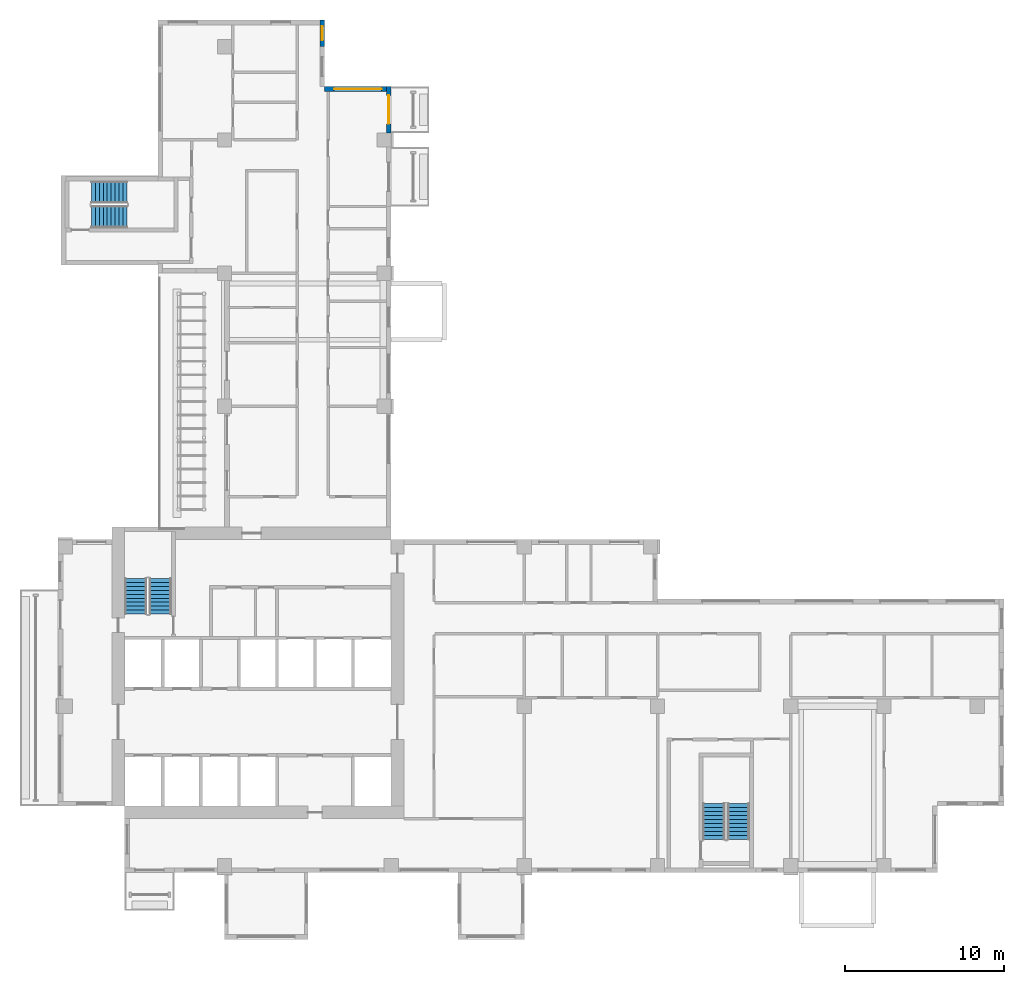
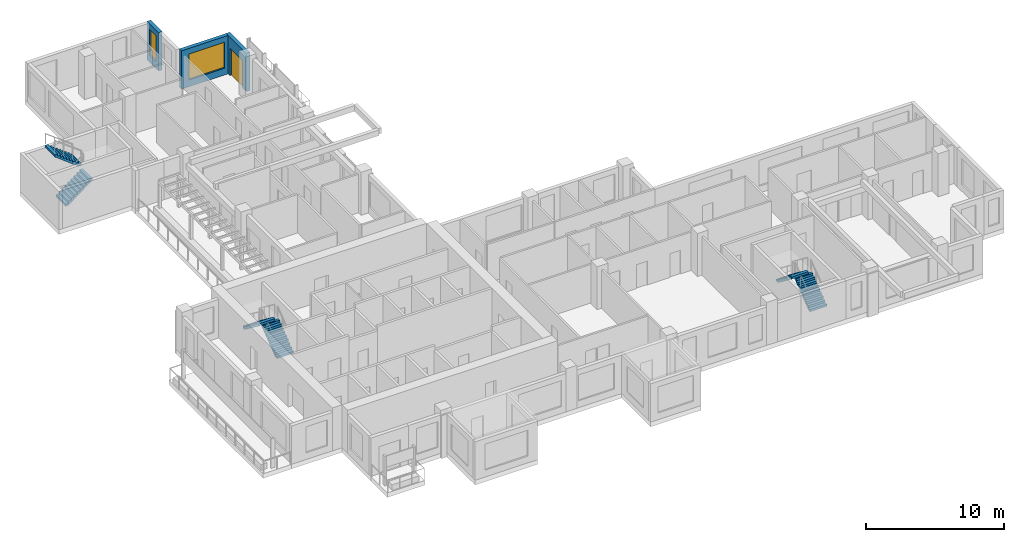
# One storey, part 10 of 14: 6 stair flights, 3 walls, 2 windows, 1 door, 3 openings, 3 elements without a shape of their own.
"""IFC4 building model written with IfcOpenShell, lengths in metres."""

from ifc_helpers import new_model, si_unit, direction, frame, frame_2d, origin, place, context, subcontext, project, spatial, polyline, rectangle, outline, extrude, source, transform, mapped, material, layer, layer_set, type_object, element, fill, aggregate, save


model = new_model("IFC4")

# Units and contexts
model_context = context("Model", 3, precision=1e-05, world=origin(), true_north=direction((0.0, 1.0)))
body_context = subcontext(model_context, "Body", "Model", "MODEL_VIEW")
ifc_project = project(units=[si_unit("LENGTHUNIT", "METRE"), si_unit("AREAUNIT", "SQUARE_METRE"), si_unit("VOLUMEUNIT", "CUBIC_METRE"), si_unit("PLANEANGLEUNIT", "RADIAN"), si_unit("MASSUNIT", "GRAM", prefix="KILO")], contexts=[model_context])

# Site, building, storey
site_placement = place(None, origin())
site = spatial("IfcSite", under=ifc_project, at=site_placement, CompositionType="ELEMENT")
building_placement = place(site_placement, origin())
building = spatial("IfcBuilding", under=site, at=building_placement, Name="Aurelian Terraces", CompositionType="ELEMENT")
storey_placement = place(building_placement, frame((0.0, 0.0, 185.4)))
storey = spatial("IfcBuildingStorey", under=building, at=storey_placement, Name="L40", CompositionType="ELEMENT", Elevation=185.4)

# Wall, opening, door
ifc_material_1 = material(Name="Terracotta rainscreen cladding", Category="masonry")
ifc_layer = layer(ifc_material_1, 0.3)
ifc_layer_set = layer_set([ifc_layer], Name="EW-300")
wall_type = type_object("IfcWallType", Name="EW-300", PredefinedType="STANDARD", material=ifc_layer_set)
shared_shape_1 = source(origin(), body_context, "Body", "SweptSolid", [
    extrude(rectangle(XDim=2.91, YDim=0.3, at=frame_2d((1.455, 0.0))), origin(), (0.0, 0.0, 1.0), 3.4),
])
wall_1_placement = place(storey_placement, frame((20.85, 46.65, 0.0), z_axis=(0.0, 0.0, 1.0), x_axis=(0.0, 1.0, 0.0)))
wall_1 = element("IfcWall", 1, at=wall_1_placement, inside=storey, type_object=wall_type, Name="External wall L40 F08.23", PredefinedType="STANDARD", context=body_context, shape_type="MappedRepresentation", body=[
    mapped(shared_shape_1, transform((0.0, 0.0, 0.0), scale=1.0)),
])
shared_shape_2 = source(origin(), body_context, "Body", "SweptSolid", [
    extrude(rectangle(XDim=1.8, YDim=2.4, at=frame_2d((0.9, 1.2))), frame((0.0, 0.16, 0.0), z_axis=(0.0, -1.0, 0.0), x_axis=(1.0, 0.0, 0.0)), (0.0, 0.0, 1.0), 0.32),
])
opening_1_placement = place(wall_1_placement, frame((0.555, 0.0, 0.0)))
opening_1 = element("IfcOpeningElement", 2, at=opening_1_placement, cuts=wall_1, Name="Opening 84003", PredefinedType="OPENING", context=body_context, shape_type="MappedRepresentation", body=[
    mapped(shared_shape_2, transform((0.0, 0.0, 0.0), scale=1.0)),
])
ifc_material_2 = material(Name="Clear glazing", Category="glass")
door_type = type_object("IfcDoorType", Name="BD-1800x2400", OperationType="SLIDING_TO_LEFT", PredefinedType="DOOR", material=ifc_material_2)
shared_shape_3 = source(origin(), body_context, "Body", "SweptSolid", [
    extrude(rectangle(XDim=1.8, YDim=2.4, at=frame_2d((0.9, 1.2))), frame((0.0, 0.025, 0.0), z_axis=(0.0, -1.0, 0.0), x_axis=(1.0, 0.0, 0.0)), (0.0, 0.0, 1.0), 0.05),
])
door_placement = place(opening_1_placement, origin())
door = element("IfcDoor", 3, at=door_placement, inside=storey, type_object=door_type, Name="Balcony door L40 F08.23", OperationType="SLIDING_TO_LEFT", OverallHeight=2.4, OverallWidth=1.8, PredefinedType="DOOR", context=body_context, shape_type="MappedRepresentation", body=[
    mapped(shared_shape_3, transform((0.0, 0.0, 0.0), scale=1.0)),
])
fill(opening_1, door)

# Wall, opening, window
shared_shape_4 = source(origin(), body_context, "Body", "SweptSolid", [
    extrude(rectangle(XDim=4.2, YDim=0.3, at=frame_2d((2.1, 0.0))), origin(), (0.0, 0.0, 1.0), 3.4),
])
wall_2_placement = place(storey_placement, frame((21.0, 49.41, 0.0), z_axis=(0.0, 0.0, 1.0), x_axis=(-1.0, 0.0, 0.0)))
wall_2 = element("IfcWall", 4, at=wall_2_placement, inside=storey, type_object=wall_type, Name="External wall L40 F09.24", PredefinedType="STANDARD", context=body_context, shape_type="MappedRepresentation", body=[
    mapped(shared_shape_4, transform((0.0, 0.0, 0.0), scale=1.0)),
])
shared_shape_5 = source(origin(), body_context, "Body", "SweptSolid", [
    extrude(rectangle(XDim=3.0, YDim=2.3, at=frame_2d((1.5, 1.15))), frame((0.0, 0.16, 0.0), z_axis=(0.0, -1.0, 0.0), x_axis=(1.0, 0.0, 0.0)), (0.0, 0.0, 1.0), 0.32),
])
opening_2_placement = place(wall_2_placement, frame((0.6, 0.0, 0.6)))
opening_2 = element("IfcOpeningElement", 5, at=opening_2_placement, cuts=wall_2, Name="Opening W3023", PredefinedType="OPENING", context=body_context, shape_type="MappedRepresentation", body=[
    mapped(shared_shape_5, transform((0.0, 0.0, 0.0), scale=1.0)),
])
window_type_1 = type_object("IfcWindowType", Name="W-3000x2300", PartitioningType="SINGLE_PANEL", PredefinedType="WINDOW", material=ifc_material_2)
shared_shape_6 = source(origin(), body_context, "Body", "SweptSolid", [
    extrude(rectangle(XDim=3.0, YDim=2.3, at=frame_2d((1.5, 1.15))), frame((0.0, 0.03, 0.0), z_axis=(0.0, -1.0, 0.0), x_axis=(1.0, 0.0, 0.0)), (0.0, 0.0, 1.0), 0.06),
])
window_1_placement = place(opening_2_placement, origin())
window_1 = element("IfcWindow", 6, at=window_1_placement, inside=storey, type_object=window_type_1, Name="Window L40 L40-F09-24-0", OverallHeight=2.3, OverallWidth=3.0, PartitioningType="SINGLE_PANEL", PredefinedType="WINDOW", context=body_context, shape_type="MappedRepresentation", body=[
    mapped(shared_shape_6, transform((0.0, 0.0, 0.0), scale=1.0)),
])
fill(opening_2, window_1)

shared_shape_7 = source(origin(), body_context, "Body", "SweptSolid", [
    extrude(rectangle(XDim=1.68, YDim=0.3, at=frame_2d((0.84, 0.0))), origin(), (0.0, 0.0, 1.0), 3.4),
])
wall_3_placement = place(storey_placement, frame((16.65, 52.08, 0.0), z_axis=(0.0, 0.0, 1.0), x_axis=(0.0, 1.0, 0.0)))
wall_3 = element("IfcWall", 7, at=wall_3_placement, inside=storey, type_object=wall_type, Name="External wall L40 F10.26", PredefinedType="STANDARD", context=body_context, shape_type="MappedRepresentation", body=[
    mapped(shared_shape_7, transform((0.0, 0.0, 0.0), scale=1.0)),
])
shared_shape_8 = source(origin(), body_context, "Body", "SweptSolid", [
    extrude(rectangle(XDim=0.9, YDim=2.3, at=frame_2d((0.45, 1.15))), frame((0.0, 0.16, 0.0), z_axis=(0.0, -1.0, 0.0), x_axis=(1.0, 0.0, 0.0)), (0.0, 0.0, 1.0), 0.32),
])
opening_3_placement = place(wall_3_placement, frame((0.39, 0.0, 0.6)))
opening_3 = element("IfcOpeningElement", 8, at=opening_3_placement, cuts=wall_3, Name="Opening W0923", PredefinedType="OPENING", context=body_context, shape_type="MappedRepresentation", body=[
    mapped(shared_shape_8, transform((0.0, 0.0, 0.0), scale=1.0)),
])
window_type_2 = type_object("IfcWindowType", Name="W-900x2300", PartitioningType="SINGLE_PANEL", PredefinedType="WINDOW", material=ifc_material_2)
shared_shape_9 = source(origin(), body_context, "Body", "SweptSolid", [
    extrude(rectangle(XDim=0.9, YDim=2.3, at=frame_2d((0.45, 1.15))), frame((0.0, 0.03, 0.0), z_axis=(0.0, -1.0, 0.0), x_axis=(1.0, 0.0, 0.0)), (0.0, 0.0, 1.0), 0.06),
])
window_2_placement = place(opening_3_placement, origin())
window_2 = element("IfcWindow", 9, at=window_2_placement, inside=storey, type_object=window_type_2, Name="Window L40 L40-F10-26-P0", OverallHeight=2.3, OverallWidth=0.9, PartitioningType="SINGLE_PANEL", PredefinedType="WINDOW", context=body_context, shape_type="MappedRepresentation", body=[
    mapped(shared_shape_9, transform((0.0, 0.0, 0.0), scale=1.0)),
])
fill(opening_3, window_2)

# Stair, stair flights
ifc_material_3 = material(Name="Concrete fc' 40 MPa", Category="concrete")
stair_type = type_object("IfcStairType", Name="Stair 1400", PredefinedType="HALF_TURN_STAIR", material=ifc_material_3)
stair_1_placement = place(storey_placement, origin())
stair_1 = element("IfcStair", 10, at=stair_1_placement, inside=storey, type_object=stair_type, Name="L40 S1", PredefinedType="HALF_TURN_STAIR")
stair_flight_type = type_object("IfcStairFlightType", Name="Stair flight 1400", PredefinedType="STRAIGHT", material=ifc_material_3)
shared_shape_10 = source(origin(), body_context, "Body", "SweptSolid", [
    extrude(outline(polyline([(0.0, 0.0), (0.0, 0.19), (0.25, 0.19), (0.25, 0.38), (0.5, 0.38), (0.5, 0.57), (0.75, 0.57), (0.75, 0.76), (1.0, 0.76), (1.0, 0.95), (1.25, 0.95), (1.25, 1.14), (1.5, 1.14), (1.5, 1.33), (1.75, 1.33), (1.75, 1.52), (2.0, 1.52), (2.0, 1.71), (2.25, 1.71), (2.25, 1.9), (2.25, 1.5216), (0.2479, 0.0), (0.0, 0.0)])), frame((0.0, 0.7, 0.0), z_axis=(0.0, -1.0, 0.0), x_axis=(1.0, 0.0, 0.0)), (0.0, 0.0, 1.0), 1.4),
])
stair_flight_1_placement = place(storey_placement, frame((6.45, 16.3, 2e-08), z_axis=(0.0, 0.0, 1.0), x_axis=(0.0, 1.0, 0.0)))
stair_flight_1 = element("IfcStairFlight", 11, at=stair_flight_1_placement, type_object=stair_flight_type, Name="S1 flight 1", NumberOfRisers=10, NumberOfTreads=9, PredefinedType="STRAIGHT", RiserHeight=0.19, TreadLength=0.25, context=body_context, shape_type="MappedRepresentation", body=[
    mapped(shared_shape_10, transform((0.0, 0.0, 0.0), scale=1.0)),
])
stair_flight_2_placement = place(storey_placement, frame((4.9, 18.55, 1.9000000200000058), z_axis=(0.0, 0.0, 1.0), x_axis=(0.0, -1.0, 0.0)))
stair_flight_2 = element("IfcStairFlight", 12, at=stair_flight_2_placement, type_object=stair_flight_type, Name="S1 flight 2", NumberOfRisers=10, NumberOfTreads=9, PredefinedType="STRAIGHT", RiserHeight=0.19, TreadLength=0.25, context=body_context, shape_type="MappedRepresentation", body=[
    mapped(shared_shape_10, transform((0.0, 0.0, 0.0), scale=1.0)),
])
aggregate(stair_1, [stair_flight_1, stair_flight_2])

stair_2_placement = place(storey_placement, origin())
stair_2 = element("IfcStair", 13, at=stair_2_placement, inside=storey, type_object=stair_type, Name="L40 S2", PredefinedType="HALF_TURN_STAIR")
stair_flight_3_placement = place(storey_placement, frame((42.9, 2.1, 2e-08), z_axis=(0.0, 0.0, 1.0), x_axis=(0.0, 1.0, 0.0)))
stair_flight_3 = element("IfcStairFlight", 14, at=stair_flight_3_placement, type_object=stair_flight_type, Name="S2 flight 1", NumberOfRisers=10, NumberOfTreads=9, PredefinedType="STRAIGHT", RiserHeight=0.19, TreadLength=0.25, context=body_context, shape_type="MappedRepresentation", body=[
    mapped(shared_shape_10, transform((0.0, 0.0, 0.0), scale=1.0)),
])
stair_flight_4_placement = place(storey_placement, frame((41.35, 4.35, 1.9000000200000058), z_axis=(0.0, 0.0, 1.0), x_axis=(0.0, -1.0, 0.0)))
stair_flight_4 = element("IfcStairFlight", 15, at=stair_flight_4_placement, type_object=stair_flight_type, Name="S2 flight 2", NumberOfRisers=10, NumberOfTreads=9, PredefinedType="STRAIGHT", RiserHeight=0.19, TreadLength=0.25, context=body_context, shape_type="MappedRepresentation", body=[
    mapped(shared_shape_10, transform((0.0, 0.0, 0.0), scale=1.0)),
])
aggregate(stair_2, [stair_flight_3, stair_flight_4])

stair_3_placement = place(storey_placement, origin())
stair_3 = element("IfcStair", 16, at=stair_3_placement, inside=storey, type_object=stair_type, Name="L40 S3", PredefinedType="HALF_TURN_STAIR")
stair_flight_5_placement = place(storey_placement, frame((2.1, 41.35, 2e-08), z_axis=(0.0, 0.0, 1.0), x_axis=(1.0, 0.0, 0.0)))
stair_flight_5 = element("IfcStairFlight", 17, at=stair_flight_5_placement, type_object=stair_flight_type, Name="S3 flight 1", NumberOfRisers=10, NumberOfTreads=9, PredefinedType="STRAIGHT", RiserHeight=0.19, TreadLength=0.25, context=body_context, shape_type="MappedRepresentation", body=[
    mapped(shared_shape_10, transform((0.0, 0.0, 0.0), scale=1.0)),
])
stair_flight_6_placement = place(storey_placement, frame((4.35, 42.9, 1.9000000200000058), z_axis=(0.0, 0.0, 1.0), x_axis=(-1.0, 0.0, 0.0)))
stair_flight_6 = element("IfcStairFlight", 18, at=stair_flight_6_placement, type_object=stair_flight_type, Name="S3 flight 2", NumberOfRisers=10, NumberOfTreads=9, PredefinedType="STRAIGHT", RiserHeight=0.19, TreadLength=0.25, context=body_context, shape_type="MappedRepresentation", body=[
    mapped(shared_shape_10, transform((0.0, 0.0, 0.0), scale=1.0)),
])
aggregate(stair_3, [stair_flight_5, stair_flight_6])

save(model, "model.ifc")
